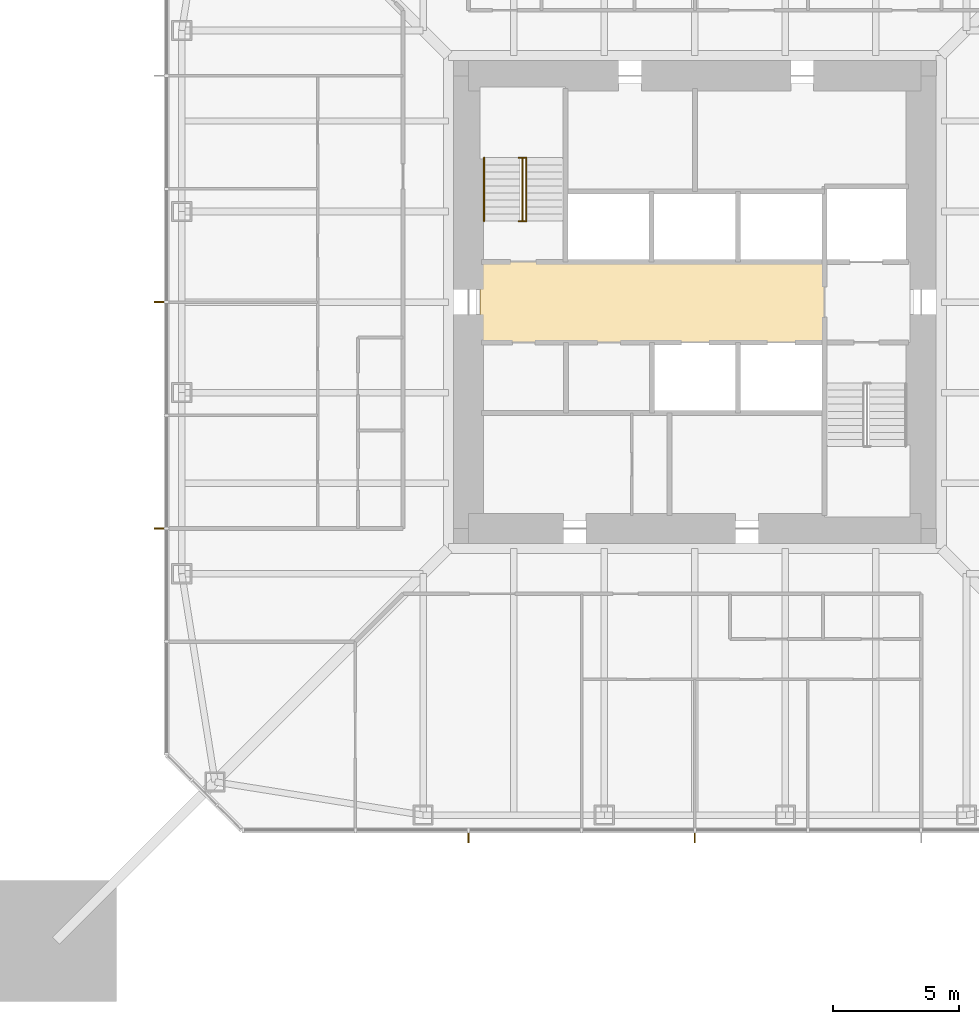
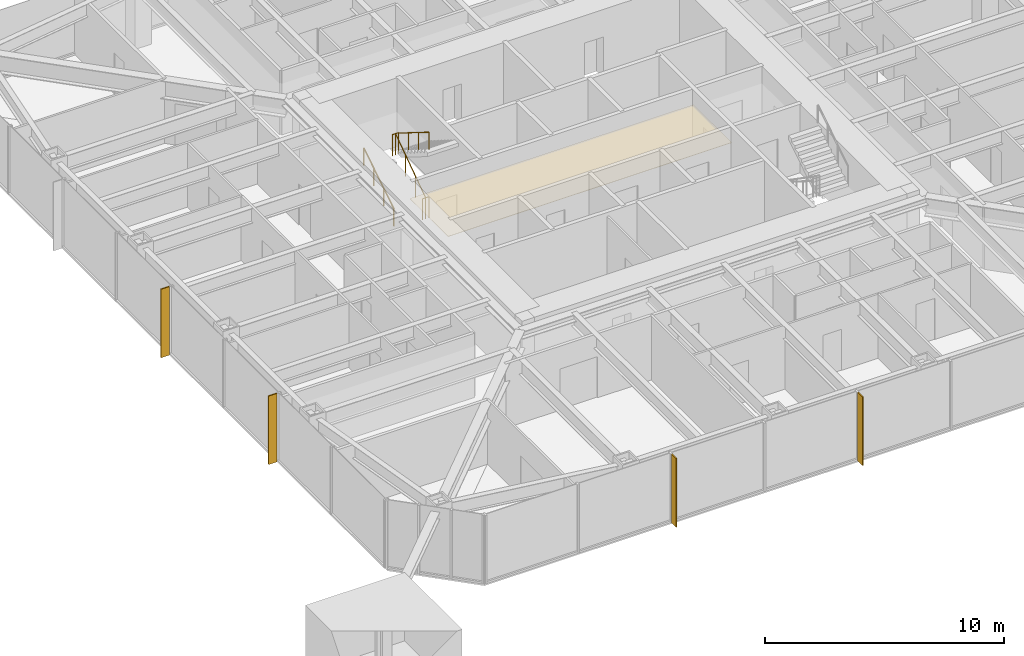
# One storey, part 21 of 25: 4 shading devices, 3 railings, 1 covering.
"""IFC4 building model written with IfcOpenShell, lengths in metres."""

from ifc_helpers import new_model, si_unit, direction, frame, origin, origin_2d, place, context, subcontext, project, spatial, polyline, rectangle, circle, outline, extrude, material, layer, layer_set, constituent, constituent_set, type_object, element, save


model = new_model("IFC4")

# Units and contexts
model_context = context("Model", 3, precision=1e-05, world=origin(), true_north=direction((0.0, 1.0)))
body_context = subcontext(model_context, "Body", "Model", "MODEL_VIEW")
ifc_project = project(units=[si_unit("LENGTHUNIT", "METRE"), si_unit("AREAUNIT", "SQUARE_METRE"), si_unit("VOLUMEUNIT", "CUBIC_METRE"), si_unit("PLANEANGLEUNIT", "RADIAN"), si_unit("MASSUNIT", "GRAM", prefix="KILO")], contexts=[model_context])

# Site, building, storey
site_placement = place(None, origin())
site = spatial("IfcSite", under=ifc_project, at=site_placement, CompositionType="ELEMENT")
building_placement = place(site_placement, origin())
building = spatial("IfcBuilding", under=site, at=building_placement, Name="Iwan Alto Co-Living Towers", CompositionType="ELEMENT")
storey_placement = place(building_placement, frame((0.0, 0.0, 108.5)))
storey = spatial("IfcBuildingStorey", under=building, at=storey_placement, Name="L29", CompositionType="ELEMENT", Elevation=108.5)

# Covering
ifc_material_1 = material(Name="Mineral fibre acoustic tiles on steel grid", Category="steel")
ifc_layer_1 = layer(ifc_material_1, 0.02001953125)
ifc_layer_set_1 = layer_set([ifc_layer_1], Name="ACOUSTIC TILE CEILING 20")
covering_type = type_object("IfcCoveringType", Name="ACOUSTIC TILE CEILING 20", PredefinedType="CEILING", material=ifc_layer_set_1)
covering_placement = place(storey_placement, frame((0.0, 0.0, 2.60009765625)))
element("IfcCovering", 1, at=covering_placement, inside=storey, type_object=covering_type, Name="Ceiling Lift lobby L29", PredefinedType="CEILING", context=body_context, shape_type="SweptSolid", body=[
    extrude(outline(polyline([(-8.550048828125, -1.60009765625), (-8.550048828125, 1.60009765625), (5.14990234375, 1.60009765625), (5.14990234375, -1.60009765625), (-8.550048828125, -1.60009765625)])), origin(), (0.0, 0.0, 1.0), 0.02001953125),
])

# Shading devices
ifc_material_2 = material(Name="Aluminium 6063-T6 bronze anodised", Category="aluminium")
ifc_layer_2 = layer(ifc_material_2, 0.050048828125)
ifc_layer_set_2 = layer_set([ifc_layer_2], Name="BRONZE FIN 50X400")
shading_device_type = type_object("IfcShadingDeviceType", Name="BRONZE FIN 50X400", PredefinedType="USERDEFINED", material=ifc_layer_set_2)
for number, where, z_axis, x_axis, name in (
    (2, (-9.0, -21.300048828125, 0.0), (0.0, 0.0, 1.0), (1.0, 0.0, 0.0), "Bronze fin L29"),
    (3, (0.0, -21.300048828125, 0.0), (0.0, 0.0, 1.0), (1.0, 0.0, 0.0), "Bronze fin L29"),
    (4, (-21.300048828125, 0.0, 0.0), (0.0, 0.0, 1.0), (0.0, -1.0, 0.0), "Bronze fin L29"),
    (5, (-21.300048828125, -9.0, 0.0), (0.0, 0.0, 1.0), (0.0, -1.0, 0.0), "Bronze fin L29"),
):
    element("IfcShadingDevice", number, at=place(storey_placement, frame(where, z_axis=z_axis, x_axis=x_axis)), inside=storey, type_object=shading_device_type, Name=name, ObjectType="LOUVER", PredefinedType="USERDEFINED", context=body_context, shape_type="SweptSolid", body=[
        extrude(rectangle(XDim=0.050048828125, YDim=0.39990234375, at=origin_2d()), origin(), (0.0, 0.0, 1.0), 3.5),
    ])

# Railings
ifc_material_3 = material(Name="Steel ASTM A500 Gr C", Category="steel")
ifc_constituent_1 = constituent(ifc_material_3, Name="Rails and posts", Category="Framing")
ifc_material_4 = material(Name="Steel ASTM A36", Category="steel")
ifc_constituent_2 = constituent(ifc_material_4, Name="Bar infill", Category="Infill")
ifc_constituent_set = constituent_set(constituents=[ifc_constituent_1, ifc_constituent_2], Name="STAIR GUARD 1100")
railing_type_1 = type_object("IfcRailingType", Name="STAIR GUARD 1100", PredefinedType="GUARDRAIL", material=ifc_constituent_set)
railing_1_placement = place(storey_placement, frame((-6.85009765625, 3.219970703125, 0.0)))
element("IfcRailing", 6, at=railing_1_placement, inside=storey, type_object=railing_type_1, Name="Stair T1-S1 well guard L29", PredefinedType="GUARDRAIL", context=body_context, shape_type="SweptSolid", body=[
    extrude(circle(Radius=0.02392578125, at=origin_2d()), frame((0.0, 0.0, 1.076171875), z_axis=(0.0, 0.821372036852, 0.570392826987), x_axis=(-1.0, 0.0, 0.0)), (0.0, 0.0, 1.0), 3.068115234375),
    extrude(circle(Radius=0.02392578125, at=origin_2d()), frame((-0.14990234375, 0.0, 1.076171875), z_axis=(1.0, 0.0, 0.0), x_axis=(0.0, 1.0, 0.0)), (0.0, 0.0, 1.0), 0.300048828125),
    extrude(circle(Radius=0.02392578125, at=origin_2d()), frame((-0.14990234375, 2.52001953125, 2.826171875), z_axis=(1.0, 0.0, 0.0), x_axis=(0.0, 1.0, 0.0)), (0.0, 0.0, 1.0), 0.300048828125),
    extrude(circle(Radius=0.02099609375, at=origin_2d()), origin(), (0.0, 0.0, 1.0), 1.052001953125),
    extrude(circle(Radius=0.02099609375, at=origin_2d()), frame((0.0, 0.840087890625, 0.583251953125)), (0.0, 0.0, 1.0), 1.052001953125),
    extrude(circle(Radius=0.02099609375, at=origin_2d()), frame((0.0, 1.679931640625, 1.166748046875)), (0.0, 0.0, 1.0), 1.052001953125),
    extrude(circle(Radius=0.02099609375, at=origin_2d()), frame((0.0, 2.52001953125, 1.75)), (0.0, 0.0, 1.0), 1.052001953125),
    extrude(circle(Radius=0.02099609375, at=origin_2d()), frame((-0.14990234375, 0.0, 0.0)), (0.0, 0.0, 1.0), 1.052001953125),
    extrude(circle(Radius=0.02099609375, at=origin_2d()), frame((0.150146484375, 0.0, 0.0)), (0.0, 0.0, 1.0), 1.052001953125),
    extrude(circle(Radius=0.02099609375, at=origin_2d()), frame((-0.14990234375, 2.52001953125, 1.75)), (0.0, 0.0, 1.0), 1.052001953125),
    extrude(circle(Radius=0.02099609375, at=origin_2d()), frame((0.150146484375, 2.52001953125, 1.75)), (0.0, 0.0, 1.0), 1.052001953125),
])
ifc_material_5 = material(Name="Steel ASTM A500 Gr C", Category="steel")
railing_type_2 = type_object("IfcRailingType", Name="STAIR HANDRAIL 900", PredefinedType="HANDRAIL", material=ifc_material_5)
railing_2_placement = place(storey_placement, frame((-8.3798828125, 3.219970703125, 0.175048828125)))
element("IfcRailing", 7, at=railing_2_placement, inside=storey, type_object=railing_type_2, Name="Stair T1-S1 handrail 1 L29", PredefinedType="HANDRAIL", context=body_context, shape_type="SweptSolid", body=[
    extrude(circle(Radius=0.02392578125, at=origin_2d()), frame((0.0, 0.0, 0.8759765625), z_axis=(0.0, 0.848007534815, 0.529984170421), x_axis=(-1.0, 0.0, 0.0)), (0.0, 0.0, 1.0), 2.9716796875),
    extrude(circle(Radius=0.02099609375, at=origin_2d()), origin(), (0.0, 0.0, 1.0), 0.851806640625),
    extrude(circle(Radius=0.02099609375, at=origin_2d()), frame((0.0, 0.840087890625, 0.52490234375)), (0.0, 0.0, 1.0), 0.851806640625),
    extrude(circle(Radius=0.02099609375, at=origin_2d()), frame((0.0, 1.679931640625, 1.050048828125)), (0.0, 0.0, 1.0), 0.851806640625),
    extrude(circle(Radius=0.02099609375, at=origin_2d()), frame((0.0, 2.52001953125, 1.574951171875)), (0.0, 0.0, 1.0), 0.851806640625),
])
railing_3_placement = place(storey_placement, frame((-6.699951171875, 5.739990234375, 1.925048828125)))
element("IfcRailing", 8, at=railing_3_placement, inside=storey, type_object=railing_type_2, Name="Stair T1-S1 handrail 2 L29", PredefinedType="HANDRAIL", context=body_context, shape_type="SweptSolid", body=[
    extrude(circle(Radius=0.02392578125, at=origin_2d()), frame((0.0, 0.0, 0.8759765625), z_axis=(0.0, -0.848007534815, 0.529984170421), x_axis=(1.0, 0.0, 0.0)), (0.0, 0.0, 1.0), 2.9716796875),
    extrude(circle(Radius=0.02099609375, at=origin_2d()), origin(), (0.0, 0.0, 1.0), 0.851806640625),
    extrude(circle(Radius=0.02099609375, at=origin_2d()), frame((0.0, -0.840087890625, 0.52490234375)), (0.0, 0.0, 1.0), 0.851806640625),
    extrude(circle(Radius=0.02099609375, at=origin_2d()), frame((0.0, -1.679931640625, 1.050048828125)), (0.0, 0.0, 1.0), 0.851806640625),
    extrude(circle(Radius=0.02099609375, at=origin_2d()), frame((0.0, -2.52001953125, 1.574951171875)), (0.0, 0.0, 1.0), 0.851806640625),
])

save(model, "model.ifc")
